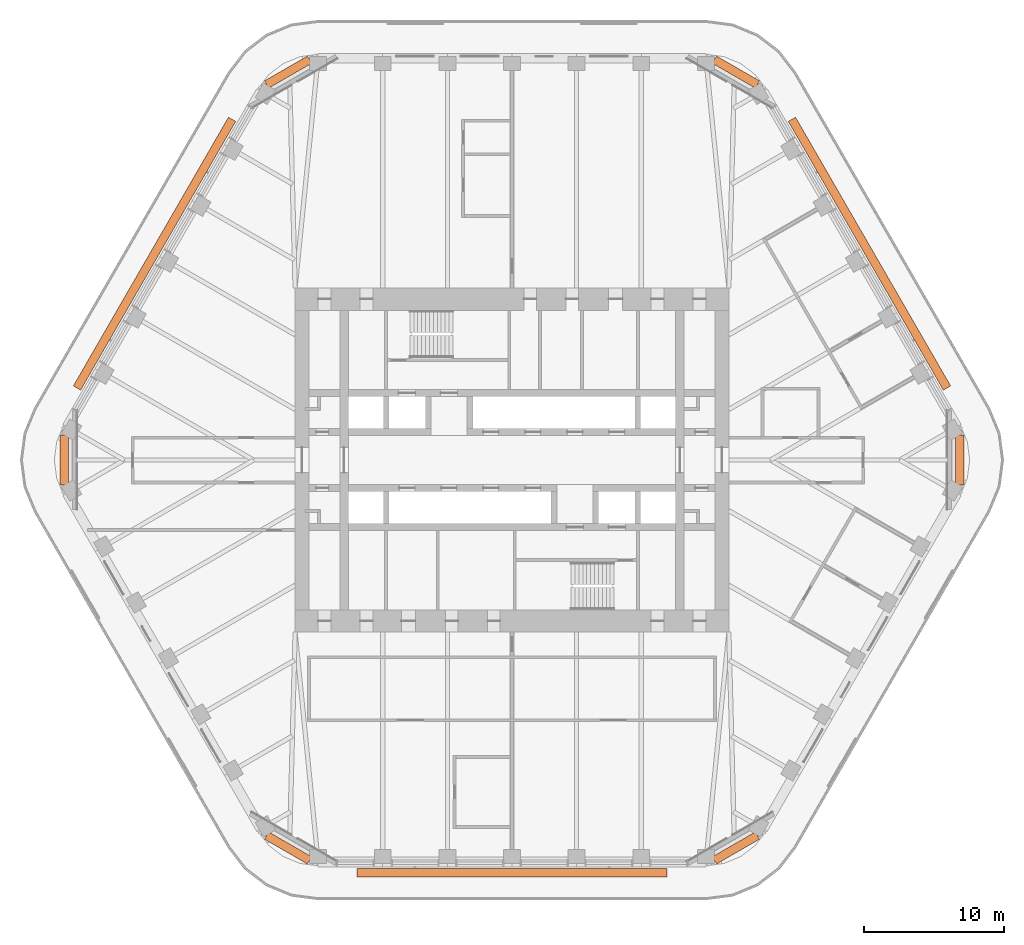
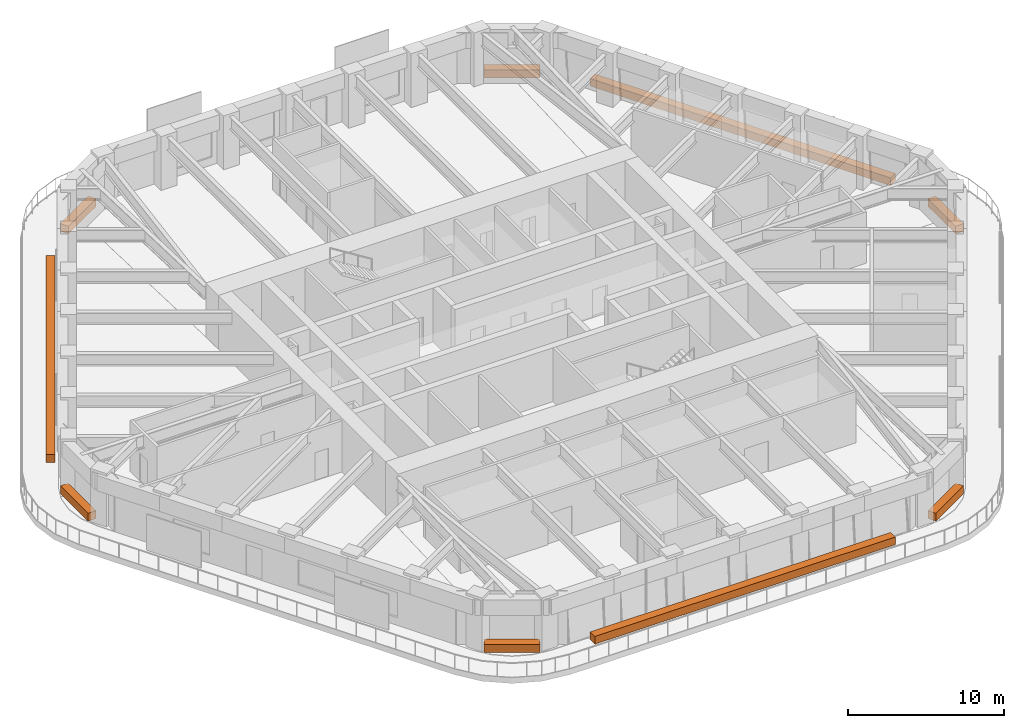
# One storey, part 20 of 20: 9 proxies.
"""IFC4 building model written with IfcOpenShell, lengths in metres."""

import ifcopenshell
import ifcopenshell.guid

model = None  # the IFC model being written
_history = None  # IfcOwnerHistory: only IFC2X3 demands one
_inside = {}  # id of a spatial element -> (the spatial element, [elements in it])
_under = {}  # id of a project, library or spatial element -> (it, [spatial elements below it])
_declared = {}  # id of a project -> (the project, [libraries it declares])
_typed = {}  # id of a type object -> (the type object, [elements of that type])
_made_of = {}  # id of a material, layer set ... -> (it, [elements and type objects made of it])


def new_model(schema):
    """Start an empty IFC model of exactly this schema.

    Asked for "IFC4X3", IfcOpenShell would pick the latest addendum, in which some entities
    have other attributes; the version numbers below select the first issue.
    IFC2X3 requires an IfcOwnerHistory on every rooted entity: one is made here for all.
    """
    global model, _history
    if schema == "IFC4X3":
        model = ifcopenshell.file(schema_version=(4, 3, 0, 0))
    else:
        model = ifcopenshell.file(schema=schema)
    _inside.clear()
    _under.clear()
    _declared.clear()
    _typed.clear()
    _made_of.clear()
    _history = None
    if model.schema == "IFC2X3":
        org = make("IfcOrganization", Name="unknown")
        user = make(
            "IfcPersonAndOrganization",
            ThePerson=make("IfcPerson", FamilyName="unknown"),
            TheOrganization=org,
        )
        app = make(
            "IfcApplication",
            ApplicationDeveloper=org,
            Version="unknown",
            ApplicationFullName="unknown",
            ApplicationIdentifier="unknown",
        )
        _history = make(
            "IfcOwnerHistory",
            OwningUser=user,
            OwningApplication=app,
            ChangeAction="ADDED",
            CreationDate=0,
        )
    return model


def make(cls, **values):
    """One entity of the class cls with the attributes given. An attribute that is None is left unset."""
    return model.create_entity(
        cls, **{name: value for name, value in values.items() if value is not None}
    )


def rooted(cls, **values):
    """An entity with a GlobalId (a new one), such as an element, a storey or a relation."""
    return make(cls, GlobalId=ifcopenshell.guid.new(), OwnerHistory=_history, **values)


def si_unit(unit_type, name, prefix=None):
    """IfcSIUnit, for example si_unit("LENGTHUNIT", "METRE", prefix="MILLI")."""
    return make("IfcSIUnit", UnitType=unit_type, Prefix=prefix, Name=name)


def assignment(units):
    """IfcUnitAssignment: the units of a project."""
    return None if units is None else make("IfcUnitAssignment", Units=units)


def point(xyz):
    """IfcCartesianPoint."""
    return None if xyz is None else make("IfcCartesianPoint", Coordinates=xyz)


def direction(xyz):
    """IfcDirection."""
    return None if xyz is None else make("IfcDirection", DirectionRatios=xyz)


def frame(location, z_axis=None, x_axis=None):
    """IfcAxis2Placement3D, a coordinate frame: its origin and axes. An axis left out is left unset."""
    return make(
        "IfcAxis2Placement3D",
        Location=point(location),
        Axis=direction(z_axis),
        RefDirection=direction(x_axis),
    )


def frame_2d(location, x_axis=None):
    """IfcAxis2Placement2D, a coordinate frame in the plane: its origin and x axis."""
    return make(
        "IfcAxis2Placement2D", Location=point(location), RefDirection=direction(x_axis)
    )


def origin():
    """The frame at (0, 0, 0) with its axes left unset."""
    return frame((0.0, 0.0, 0.0))


def origin_2d():
    """The frame at (0, 0) in the plane with its x axis left unset."""
    return frame_2d((0.0, 0.0))


def place(relative_to, where):
    """IfcLocalPlacement: puts the frame where relative to a parent placement (None: the world)."""
    return make(
        "IfcLocalPlacement", PlacementRelTo=relative_to, RelativePlacement=where
    )


def context(
    kind, dimensions, precision=None, world=None, true_north=None, identifier=None
):
    """IfcGeometricRepresentationContext, for example the 3D "Model" context."""
    return make(
        "IfcGeometricRepresentationContext",
        ContextIdentifier=identifier,
        ContextType=kind,
        CoordinateSpaceDimension=dimensions,
        Precision=precision,
        WorldCoordinateSystem=world,
        TrueNorth=true_north,
    )


def subcontext(parent, identifier, kind, view, scale=None):
    """IfcGeometricRepresentationSubContext, for example "Body" below "Model"."""
    return make(
        "IfcGeometricRepresentationSubContext",
        ContextIdentifier=identifier,
        ContextType=kind,
        ParentContext=parent,
        TargetScale=scale,
        TargetView=view,
    )


def project(units=None, contexts=None):
    """IfcProject with its units and contexts."""
    return rooted(
        "IfcProject",
        Name="project",
        RepresentationContexts=contexts,
        UnitsInContext=assignment(units),
    )


def spatial(cls, under=None, at=None, **own):
    """A site, building, storey or space (cls), placed at a placement, below another one or the project."""
    s = rooted(cls, ObjectPlacement=at, **own)
    if under is not None:
        _under.setdefault(under.id(), (under, []))[1].append(s)
    return s


def profile(cls, at=None, kind="AREA", **sizes):
    """A parametric profile (cls). Its sizes go by their IFC names, for example OverallWidth=200.0."""
    return make(cls, ProfileType=kind, Position=at, **sizes)


def rectangle(**sizes):
    """IfcRectangleProfileDef."""
    return profile("IfcRectangleProfileDef", **sizes)


def extrude(swept, where, along, depth):
    """IfcExtrudedAreaSolid: the profile swept, set in the frame where, extruded along a direction by depth."""
    return make(
        "IfcExtrudedAreaSolid",
        SweptArea=swept,
        Position=where,
        ExtrudedDirection=direction(along),
        Depth=depth,
    )


def shape(context_of_items, identifier, shape_type, items):
    """IfcShapeRepresentation: the items that make up one representation, for example the "Body"."""
    return make(
        "IfcShapeRepresentation",
        ContextOfItems=context_of_items,
        RepresentationIdentifier=identifier,
        RepresentationType=shape_type,
        Items=items,
    )


def material(Name=None, Category=None):
    """IfcMaterial."""
    return make("IfcMaterial", Name=Name, Category=Category)


def made_of(thing, what):
    """Note that an element or type object is made of a material, layer set ...; save() writes the relation."""
    if what is not None:
        _made_of.setdefault(what.id(), (what, []))[1].append(thing)
    return thing


def element(
    cls,
    number,
    at=None,
    inside=None,
    cuts=None,
    type_object=None,
    material=None,
    context=None,
    identifier="Body",
    shape_type=None,
    held_by="IfcProductDefinitionShape",
    body=None,
    shapes=None,
    **own,
):
    """One element of the class cls, such as IfcWall. Its Tag is "e" and its number.

    at: its placement. inside: the storey or other place that contains it. cuts: it is an
    opening in that element (IfcRelVoidsElement). A single representation is given by context,
    identifier, shape_type and body (its items); several are given by shapes. held_by: the class
    of the entity that holds the representations. save() writes the other relations.
    """
    e = rooted(cls, Tag="e%d" % number, ObjectPlacement=at, **own)
    if body is not None:
        shapes = [shape(context, identifier, shape_type, body)]
    if shapes is not None:
        e.Representation = make(held_by, Representations=shapes)
    if inside is not None:
        _inside.setdefault(inside.id(), (inside, []))[1].append(e)
    if cuts is not None:
        rooted(
            "IfcRelVoidsElement", RelatingBuildingElement=cuts, RelatedOpeningElement=e
        )
    if type_object is not None:
        _typed.setdefault(type_object.id(), (type_object, []))[1].append(e)
    return made_of(e, material)


def aggregate(whole, parts):
    """IfcRelAggregates: a whole, such as a stair, and the parts it consists of."""
    return rooted("IfcRelAggregates", RelatingObject=whole, RelatedObjects=parts)


def save(model, path):
    """Write the relations noted so far, then the file.

    IfcRelAggregates (storeys below a building ...), IfcRelContainedInSpatialStructure (elements
    in a storey), IfcRelDefinesByType, IfcRelAssociatesMaterial and IfcRelDeclares: one each for
    every whole, place, type object, material and project.
    """
    for whole, parts in _under.values():
        aggregate(whole, parts)
    for where, things in _inside.values():
        rooted(
            "IfcRelContainedInSpatialStructure",
            RelatedElements=things,
            RelatingStructure=where,
        )
    for kind, things in _typed.values():
        rooted("IfcRelDefinesByType", RelatedObjects=things, RelatingType=kind)
    for what, things in _made_of.values():
        rooted("IfcRelAssociatesMaterial", RelatedObjects=things, RelatingMaterial=what)
    for by, libraries in _declared.values():
        rooted("IfcRelDeclares", RelatingContext=by, RelatedDefinitions=libraries)
    model.write(path)


model = new_model("IFC4")

# Units and contexts
model_context = context("Model", 3, precision=1e-05, world=origin(), true_north=direction((0.0, 1.0)))
body_context = subcontext(model_context, "Body", "Model", "MODEL_VIEW")
ifc_project = project(units=[si_unit("LENGTHUNIT", "METRE"), si_unit("AREAUNIT", "SQUARE_METRE"), si_unit("VOLUMEUNIT", "CUBIC_METRE"), si_unit("PLANEANGLEUNIT", "RADIAN"), si_unit("MASSUNIT", "GRAM", prefix="KILO")], contexts=[model_context])

# Site, building, storey
site_placement = place(None, origin())
site = spatial("IfcSite", under=ifc_project, at=site_placement, CompositionType="ELEMENT")
building_placement = place(site_placement, origin())
building = spatial("IfcBuilding", under=site, at=building_placement, Name="Tarfa Lantern Tower", CompositionType="ELEMENT")
storey_placement = place(building_placement, frame((0.0, 0.0, 257.5)))
storey = spatial("IfcBuildingStorey", under=building, at=storey_placement, Name="L58", CompositionType="ELEMENT", Elevation=257.5)

# Proxies
ifc_material = material(Name="Planting bed")
for number, where, z_axis, x_axis, name in (
    (1, (16.006591796875, 27.72412109375, 0.0400390625), (0.0, 0.0, 1.0), (-0.866025403784, 0.5, 0.0), "Sky garden planter"),
    (2, (-16.006591796875, 27.72412109375, 0.0400390625), (0.0, 0.0, 1.0), (-0.866025403784, -0.5, 0.0), "Sky garden planter"),
    (3, (-32.012939453125, 0.0, 0.0400390625), (0.0, 0.0, 1.0), (0.0, -1.0, 0.0), "Sky garden planter"),
    (4, (-16.006591796875, -27.72412109375, 0.0400390625), (0.0, 0.0, 1.0), (0.866025403784, -0.5, 0.0), "Sky garden planter"),
    (5, (16.006591796875, -27.72412109375, 0.0400390625), (0.0, 0.0, 1.0), (0.866025403784, 0.5, 0.0), "Sky garden planter"),
    (6, (32.012939453125, 0.0, 0.0400390625), (0.0, 0.0, 1.0), (0.0, 1.0, 0.0), "Sky garden planter"),
):
    element("IfcBuildingElementProxy", number, at=place(storey_placement, frame(where, z_axis=z_axis, x_axis=x_axis)), inside=storey, material=ifc_material, Name=name, ObjectType="PLANTER", PredefinedType="USERDEFINED", context=body_context, shape_type="SweptSolid", body=[
        extrude(rectangle(XDim=3.551025390625, YDim=0.60009765625, at=origin_2d()), origin(), (0.0, 0.0, 1.0), 0.60009765625),
    ])
for number, where, z_axis, x_axis, name in (
    (7, (25.5478515625, 14.75, 0.0), (0.0, 0.0, 1.0), (-0.5, 0.866025403784, 0.0), "Balcony planter"),
    (8, (-25.5478515625, 14.75, 0.0), (0.0, 0.0, 1.0), (-0.5, -0.866025403784, 0.0), "Balcony planter"),
    (9, (0.0, -29.5, 0.0), (0.0, 0.0, 1.0), (1.0, 0.0, 0.0), "Balcony planter"),
):
    element("IfcBuildingElementProxy", number, at=place(storey_placement, frame(where, z_axis=z_axis, x_axis=x_axis)), inside=storey, material=ifc_material, Name=name, ObjectType="PLANTER", PredefinedType="USERDEFINED", context=body_context, shape_type="SweptSolid", body=[
        extrude(rectangle(XDim=22.170166015625, YDim=0.60009765625, at=origin_2d()), origin(), (0.0, 0.0, 1.0), 0.60009765625),
    ])

save(model, "model.ifc")
